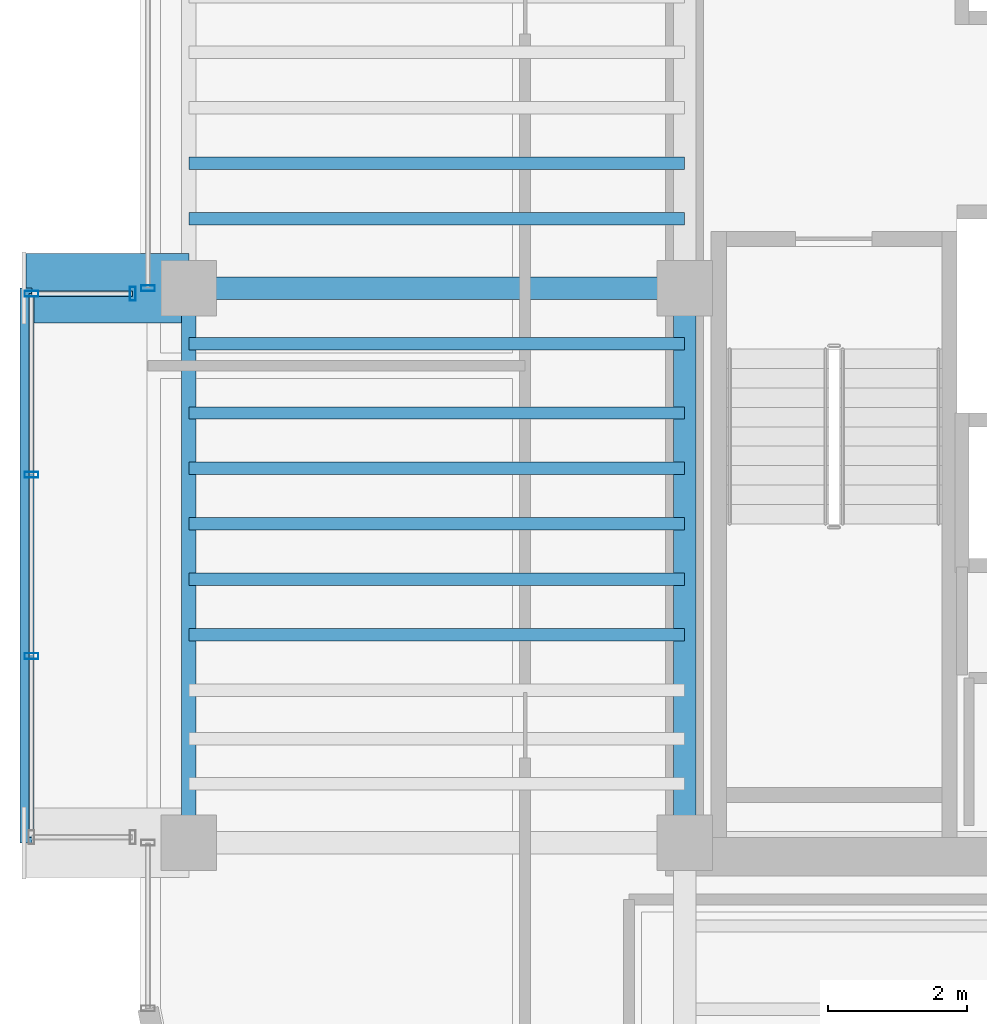
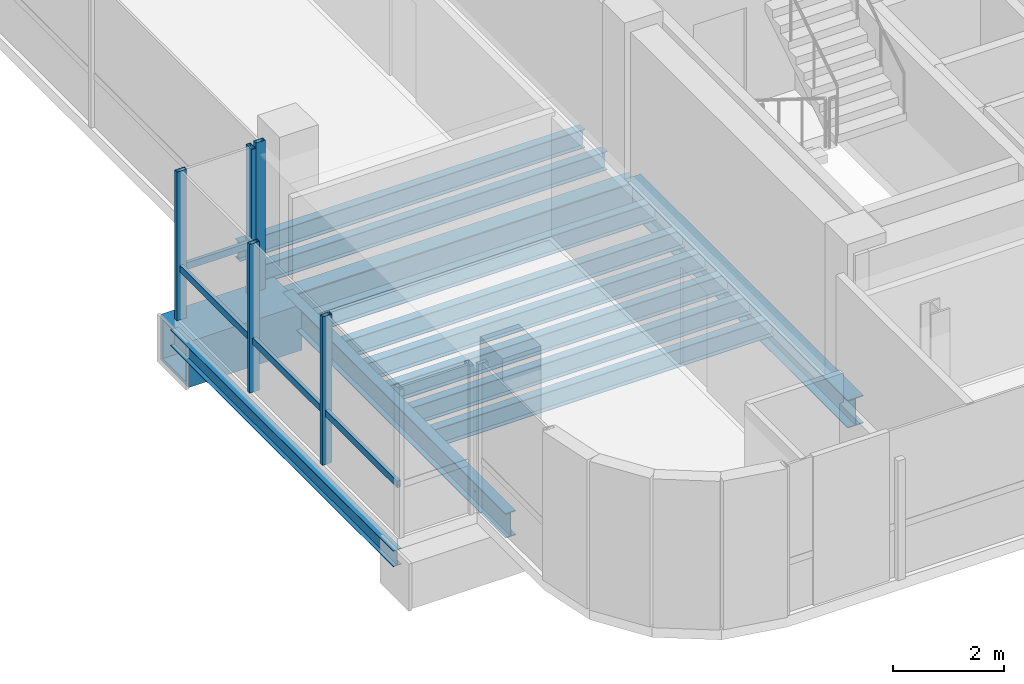
# One storey, part 4 of 19: 13 beams, 7 members, 3 elements without a shape of their own.
"""IFC4 building model written with IfcOpenShell, lengths in metres."""

from ifc_helpers import new_model, si_unit, direction, frame, origin, origin_2d, place, context, subcontext, project, spatial, hollow_rectangle, i_section, extrude, source, transform, mapped, material, material_profile, profile_set, type_object, element, aggregate, save


model = new_model("IFC4")

# Units and contexts
model_context = context("Model", 3, precision=1e-05, world=origin(), true_north=direction((0.0, 1.0)))
body_context = subcontext(model_context, "Body", "Model", "MODEL_VIEW")
ifc_project = project(units=[si_unit("LENGTHUNIT", "METRE"), si_unit("AREAUNIT", "SQUARE_METRE"), si_unit("VOLUMEUNIT", "CUBIC_METRE"), si_unit("PLANEANGLEUNIT", "RADIAN"), si_unit("MASSUNIT", "GRAM", prefix="KILO")], contexts=[model_context])

# Site, building, storey
site_placement = place(None, origin())
site = spatial("IfcSite", under=ifc_project, at=site_placement, CompositionType="ELEMENT")
building_placement = place(site_placement, origin())
building = spatial("IfcBuilding", under=site, at=building_placement, Name="Valdorenza Pilgrim Sanctuary Tower", CompositionType="ELEMENT")
storey_placement = place(building_placement, frame((0.0, 0.0, 269.5)))
storey = spatial("IfcBuildingStorey", under=building, at=storey_placement, Name="L70", CompositionType="ELEMENT", Elevation=269.5)

# Beams
ifc_material_1 = material(Name="Steel ASTM A992 Grade 50", Category="steel")
ifc_material_profile_1 = material_profile(ifc_material_1, i_section(OverallWidth=0.323974609375, OverallDepth=0.611083984375, WebThickness=0.0126953125, FlangeThickness=0.01904296875, at=origin_2d()), Name="W24X104")
ifc_profile_set_1 = profile_set([ifc_material_profile_1], Name="Steel ASTM A992 Grade 50")
beam_type_1 = type_object("IfcBeamType", Name="STR-BM-GRD-W24B", PredefinedType="BEAM", material=ifc_profile_set_1)
shared_shape_1 = source(origin(), body_context, "Body", "SweptSolid", [
    extrude(i_section(OverallWidth=0.323974609375, OverallDepth=0.611083984375, WebThickness=0.0126953125, FlangeThickness=0.01904296875, at=origin_2d()), origin(), (0.0, 0.0, 1.0), 8.0),
])
beam_1_placement = place(storey_placement, frame((-22.64990234375, -10.60009765625, -0.54541015625), z_axis=(0.0, 1.0, 0.0), x_axis=(-1.0, 0.0, 0.0)))
element("IfcBeam", 1, at=beam_1_placement, inside=storey, type_object=beam_type_1, Name="L70 Core Tie Girder CA-W-S1M0", PredefinedType="BEAM", context=body_context, shape_type="MappedRepresentation", body=[
    mapped(shared_shape_1, transform((0.0, 0.0, 0.0), x_axis=(1.0, 0.0, 0.0), y_axis=(0.0, 1.0, 0.0), z_axis=(0.0, 0.0, 1.0), scale=1.0)),
])
ifc_material_profile_2 = material_profile(ifc_material_1, i_section(OverallWidth=0.1708984375, OverallDepth=0.35107421875, WebThickness=0.0068359375, FlangeThickness=0.009765625, at=origin_2d()), Name="W14X30")
ifc_profile_set_2 = profile_set([ifc_material_profile_2], Name="Steel ASTM A992 Grade 50")
beam_type_2 = type_object("IfcBeamType", Name="STR-BM-BOX-W14", PredefinedType="BEAM", material=ifc_profile_set_2)
shared_shape_2 = source(origin(), body_context, "Body", "SweptSolid", [
    extrude(i_section(OverallWidth=0.1708984375, OverallDepth=0.35107421875, WebThickness=0.0068359375, FlangeThickness=0.009765625, at=origin_2d()), origin(), (0.0, 0.0, 1.0), 8.0),
])
beam_2_placement = place(storey_placement, frame((-32.14990234375, -10.60009765625, -0.41552734375), z_axis=(0.0, 1.0, 0.0), x_axis=(-1.0, 0.0, 0.0)))
element("IfcBeam", 2, at=beam_2_placement, inside=storey, type_object=beam_type_2, Name="L70 Glass Box Edge Beam BOX-WA-L70-F", PredefinedType="BEAM", context=body_context, shape_type="MappedRepresentation", body=[
    mapped(shared_shape_2, transform((0.0, 0.0, 0.0), x_axis=(1.0, 0.0, 0.0), y_axis=(0.0, 1.0, 0.0), z_axis=(0.0, 0.0, 1.0), scale=1.0)),
])
ifc_material_profile_3 = material_profile(ifc_material_1, i_section(OverallWidth=0.2109375, OverallDepth=0.5390625, WebThickness=0.01171875, FlangeThickness=0.018798828125, at=origin_2d()), Name="W21X73")
ifc_profile_set_3 = profile_set([ifc_material_profile_3], Name="Steel ASTM A992 Grade 50")
beam_type_3 = type_object("IfcBeamType", Name="STR-BM-SPN-W21B", PredefinedType="SPANDREL", material=ifc_profile_set_3)
shared_shape_3 = source(origin(), body_context, "Body", "SweptSolid", [
    extrude(i_section(OverallWidth=0.2109375, OverallDepth=0.5390625, WebThickness=0.01171875, FlangeThickness=0.018798828125, at=origin_2d()), origin(), (0.0, 0.0, 1.0), 8.0),
])
beam_3_placement = place(storey_placement, frame((-29.800048828125, -10.60009765625, -0.509521484375), z_axis=(0.0, 1.0, 0.0), x_axis=(-1.0, 0.0, 0.0)))
element("IfcBeam", 3, at=beam_3_placement, inside=storey, type_object=beam_type_3, Name="L70 Spandrel Beam WA-W-S1M0", PredefinedType="SPANDREL", context=body_context, shape_type="MappedRepresentation", body=[
    mapped(shared_shape_3, transform((0.0, 0.0, 0.0), x_axis=(1.0, 0.0, 0.0), y_axis=(0.0, 1.0, 0.0), z_axis=(0.0, 0.0, 1.0), scale=1.0)),
])
ifc_material_profile_4 = material_profile(ifc_material_1, i_section(OverallWidth=0.177978515625, OverallDepth=0.406005859375, WebThickness=0.0078125, FlangeThickness=0.0126953125, at=origin_2d()), Name="W16X40")
ifc_profile_set_4 = profile_set([ifc_material_profile_4], Name="Steel ASTM A992 Grade 50")
beam_type_4 = type_object("IfcBeamType", Name="STR-BM-JST-W16", PredefinedType="JOIST", material=ifc_profile_set_4)
shared_shape_4 = source(origin(), body_context, "Body", "SweptSolid", [
    extrude(i_section(OverallWidth=0.177978515625, OverallDepth=0.406005859375, WebThickness=0.0078125, FlangeThickness=0.0126953125, at=origin_2d()), origin(), (0.0, 0.0, 1.0), 7.150146484375),
])
for number, where, z_axis, x_axis, name in (
    (4, (-29.800048828125, -7.60009765625, -0.443115234375), (1.0, 0.0, 0.0), (0.0, 1.0, 0.0), "L70 Composite Floor Joist JST-WA-4"),
    (5, (-29.800048828125, -6.800048828125, -0.443115234375), (1.0, 0.0, 0.0), (0.0, 1.0, 0.0), "L70 Composite Floor Joist JST-WA-5"),
    (6, (-29.800048828125, -6.0, -0.443115234375), (1.0, 0.0, 0.0), (0.0, 1.0, 0.0), "L70 Composite Floor Joist JST-WA-6"),
    (7, (-29.800048828125, -5.199951171875, -0.443115234375), (1.0, 0.0, 0.0), (0.0, 1.0, 0.0), "L70 Composite Floor Joist JST-WA-7"),
    (8, (-29.800048828125, -4.39990234375, -0.443115234375), (1.0, 0.0, 0.0), (0.0, 1.0, 0.0), "L70 Composite Floor Joist JST-WA-8"),
    (9, (-29.800048828125, -3.39990234375, -0.443115234375), (1.0, 0.0, 0.0), (0.0, 1.0, 0.0), "L70 Composite Floor Joist JST-WA-9"),
    (10, (-29.800048828125, -1.60009765625, -0.443115234375), (1.0, 0.0, 0.0), (0.0, 1.0, 0.0), "L70 Composite Floor Joist JST-WA-10"),
    (11, (-29.800048828125, -0.800048828125, -0.443115234375), (1.0, 0.0, 0.0), (0.0, 1.0, 0.0), "L70 Composite Floor Joist JST-WA-11"),
):
    element("IfcBeam", number, at=place(storey_placement, frame(where, z_axis=z_axis, x_axis=x_axis)), inside=storey, type_object=beam_type_4, Name=name, PredefinedType="JOIST", context=body_context, shape_type="MappedRepresentation", body=[
        mapped(shared_shape_4, transform((0.0, 0.0, 0.0), x_axis=(1.0, 0.0, 0.0), y_axis=(0.0, 1.0, 0.0), z_axis=(0.0, 0.0, 1.0), scale=1.0)),
    ])
ifc_material_2 = material(Name="Steel ASTM A572 Grade 42", Category="steel")
ifc_material_profile_5 = material_profile(ifc_material_2, hollow_rectangle(XDim=1.0, YDim=1.0, WallThickness=0.080078125, at=origin_2d()), Name="BOX 1000x1000x80")
ifc_profile_set_5 = profile_set([ifc_material_profile_5], Name="Steel ASTM A572 Grade 42")
beam_type_5 = type_object("IfcBeamType", Name="STR-BM-PROW-CANT", PredefinedType="BEAM", material=ifc_profile_set_5)
shared_shape_5 = source(origin(), body_context, "Body", "SweptSolid", [
    extrude(hollow_rectangle(XDim=1.0, YDim=1.0, WallThickness=0.080078125, at=origin_2d()), origin(), (0.0, 0.0, 1.0), 2.349853515625),
])
beam_4_placement = place(storey_placement, frame((-29.800048828125, -2.60009765625, -0.739990234375), z_axis=(-1.0, 0.0, 0.0), x_axis=(0.0, -1.0, 0.0)))
element("IfcBeam", 12, at=beam_4_placement, inside=storey, type_object=beam_type_5, Name="L70 Glass Box Cantilever Beam BOX-WA-L70-CT-N", PredefinedType="BEAM", context=body_context, shape_type="MappedRepresentation", body=[
    mapped(shared_shape_5, transform((0.0, 0.0, 0.0), x_axis=(1.0, 0.0, 0.0), y_axis=(0.0, 1.0, 0.0), z_axis=(0.0, 0.0, 1.0), scale=1.0)),
])
ifc_material_profile_6 = material_profile(ifc_material_1, i_section(OverallWidth=0.326904296875, OverallDepth=0.6220703125, WebThickness=0.015380859375, FlangeThickness=0.0244140625, at=origin_2d()), Name="W24X131")
ifc_profile_set_6 = profile_set([ifc_material_profile_6], Name="Steel ASTM A992 Grade 50")
beam_type_6 = type_object("IfcBeamType", Name="STR-BM-GRD-W24A", PredefinedType="BEAM", material=ifc_profile_set_6)
shared_shape_6 = source(origin(), body_context, "Body", "SweptSolid", [
    extrude(i_section(OverallWidth=0.326904296875, OverallDepth=0.6220703125, WebThickness=0.015380859375, FlangeThickness=0.0244140625, at=origin_2d()), origin(), (0.0, 0.0, 1.0), 7.150146484375),
])
beam_5_placement = place(storey_placement, frame((-29.800048828125, -2.60009765625, -0.551025390625), z_axis=(1.0, 0.0, 0.0), x_axis=(0.0, 1.0, 0.0)))
element("IfcBeam", 13, at=beam_5_placement, inside=storey, type_object=beam_type_6, Name="L70 Floor Girder WA-XW-M0", PredefinedType="BEAM", context=body_context, shape_type="MappedRepresentation", body=[
    mapped(shared_shape_6, transform((0.0, 0.0, 0.0), x_axis=(1.0, 0.0, 0.0), y_axis=(0.0, 1.0, 0.0), z_axis=(0.0, 0.0, 1.0), scale=1.0)),
])

# Curtain wall, member
ifc_material_3 = material(Name="Curtain-wall IGU glazing", Category="glass")
curtain_wall_type = type_object("IfcCurtainWallType", Name="CW-SYS-02", PredefinedType="NOTDEFINED", material=ifc_material_3)
curtain_wall_1_placement = place(storey_placement, origin())
curtain_wall_1 = element("IfcCurtainWall", 14, at=curtain_wall_1_placement, inside=storey, type_object=curtain_wall_type, Name="L70 Curtain Wall CW-L70-BOX-WA-L70-N", PredefinedType="NOTDEFINED")
ifc_material_4 = material(Name="Anodised aluminium AW-6060", Category="aluminium")
ifc_material_profile_7 = material_profile(ifc_material_4, hollow_rectangle(XDim=0.074951171875, YDim=0.14990234375, WallThickness=0.00390625, at=origin_2d()), Name="ALU-T 150x75x4")
ifc_profile_set_7 = profile_set([ifc_material_profile_7], Name="Anodised aluminium AW-6060")
member_type_1 = type_object("IfcMemberType", Name="CW-TRN-02", PredefinedType="USERDEFINED", material=ifc_profile_set_7)
shared_shape_7 = source(origin(), body_context, "Body", "SweptSolid", [
    extrude(hollow_rectangle(XDim=0.074951171875, YDim=0.14990234375, WallThickness=0.00390625, at=origin_2d()), origin(), (0.0, 0.0, 1.0), 1.4599609375),
])
member_1_placement = place(storey_placement, frame((-32.070068359375, -2.679931640625, 1.1201171875), z_axis=(1.0, 0.0, 0.0), x_axis=(0.0, 1.0, 0.0)))
member_1 = element("IfcMember", 15, at=member_1_placement, type_object=member_type_1, Name="CW-L70-BOX-WA-L70-N Transom 1", ObjectType="TRANSOM", PredefinedType="USERDEFINED", context=body_context, shape_type="MappedRepresentation", body=[
    mapped(shared_shape_7, transform((0.0, 0.0, 0.0), x_axis=(1.0, 0.0, 0.0), y_axis=(0.0, 1.0, 0.0), z_axis=(0.0, 0.0, 1.0), scale=1.0)),
])

curtain_wall_2_placement = place(storey_placement, origin())
curtain_wall_2 = element("IfcCurtainWall", 16, at=curtain_wall_2_placement, inside=storey, type_object=curtain_wall_type, Name="L70 Curtain Wall CW-L70-BOX-WA-L70-F", PredefinedType="NOTDEFINED")
shared_shape_8 = source(origin(), body_context, "Body", "SweptSolid", [
    extrude(hollow_rectangle(XDim=0.074951171875, YDim=0.14990234375, WallThickness=0.00390625, at=origin_2d()), origin(), (0.0, 0.0, 1.0), 7.840087890625),
])
member_2_placement = place(storey_placement, frame((-32.070068359375, -10.52001953125, 1.1201171875), z_axis=(0.0, 1.0, 0.0), x_axis=(-1.0, 0.0, 0.0)))
member_2 = element("IfcMember", 17, at=member_2_placement, type_object=member_type_1, Name="CW-L70-BOX-WA-L70-F Transom 1", ObjectType="TRANSOM", PredefinedType="USERDEFINED", context=body_context, shape_type="MappedRepresentation", body=[
    mapped(shared_shape_8, transform((0.0, 0.0, 0.0), x_axis=(1.0, 0.0, 0.0), y_axis=(0.0, 1.0, 0.0), z_axis=(0.0, 0.0, 1.0), scale=1.0)),
])

curtain_wall_3_placement = place(storey_placement, origin())
curtain_wall_3 = element("IfcCurtainWall", 18, at=curtain_wall_3_placement, inside=storey, type_object=curtain_wall_type, Name="L70 Curtain Wall CW-L70-1-1S2", PredefinedType="NOTDEFINED")
ifc_material_profile_8 = material_profile(ifc_material_4, hollow_rectangle(XDim=0.0849609375, YDim=0.199951171875, WallThickness=0.0048828125, at=origin_2d()), Name="ALU-M 200x85x5")
ifc_profile_set_8 = profile_set([ifc_material_profile_8], Name="Anodised aluminium AW-6060")
member_type_2 = type_object("IfcMemberType", Name="CW-MUL-02", PredefinedType="MULLION", material=ifc_profile_set_8)
shared_shape_9 = source(origin(), body_context, "Body", "SweptSolid", [
    extrude(hollow_rectangle(XDim=0.0849609375, YDim=0.199951171875, WallThickness=0.0048828125, at=origin_2d()), origin(), (0.0, 0.0, 1.0), 3.260009765625),
])
member_3_placement = place(storey_placement, frame((-30.389892578125, -2.60009765625, 0.0), z_axis=(0.0, 0.0, 1.0), x_axis=(0.0, 1.0, 0.0)))
member_3 = element("IfcMember", 19, at=member_3_placement, type_object=member_type_2, Name="CW-L70-1-1S2 Mullion 1", PredefinedType="MULLION", context=body_context, shape_type="MappedRepresentation", body=[
    mapped(shared_shape_9, transform((0.0, 0.0, 0.0), x_axis=(1.0, 0.0, 0.0), y_axis=(0.0, 1.0, 0.0), z_axis=(0.0, 0.0, 1.0), scale=1.0)),
])
aggregate(curtain_wall_3, [member_3])

# Member
member_4_placement = place(storey_placement, frame((-32.070068359375, -7.90673828125, 0.0), z_axis=(0.0, 0.0, 1.0), x_axis=(0.0, 1.0, 0.0)))
member_4 = element("IfcMember", 20, at=member_4_placement, type_object=member_type_2, Name="CW-L70-BOX-WA-L70-F Mullion 2", PredefinedType="MULLION", context=body_context, shape_type="MappedRepresentation", body=[
    mapped(shared_shape_9, transform((0.0, 0.0, 0.0), x_axis=(1.0, 0.0, 0.0), y_axis=(0.0, 1.0, 0.0), z_axis=(0.0, 0.0, 1.0), scale=1.0)),
])

member_5_placement = place(storey_placement, frame((-32.070068359375, -5.293212890625, 0.0), z_axis=(0.0, 0.0, 1.0), x_axis=(0.0, 1.0, 0.0)))
member_5 = element("IfcMember", 21, at=member_5_placement, type_object=member_type_2, Name="CW-L70-BOX-WA-L70-F Mullion 3", PredefinedType="MULLION", context=body_context, shape_type="MappedRepresentation", body=[
    mapped(shared_shape_9, transform((0.0, 0.0, 0.0), x_axis=(1.0, 0.0, 0.0), y_axis=(0.0, 1.0, 0.0), z_axis=(0.0, 0.0, 1.0), scale=1.0)),
])

member_6_placement = place(storey_placement, frame((-32.070068359375, -2.679931640625, 0.0), z_axis=(0.0, 0.0, 1.0), x_axis=(0.0, 1.0, 0.0)))
member_6 = element("IfcMember", 22, at=member_6_placement, type_object=member_type_2, Name="CW-L70-BOX-WA-L70-F Mullion 4", PredefinedType="MULLION", context=body_context, shape_type="MappedRepresentation", body=[
    mapped(shared_shape_9, transform((0.0, 0.0, 0.0), x_axis=(1.0, 0.0, 0.0), y_axis=(0.0, 1.0, 0.0), z_axis=(0.0, 0.0, 1.0), scale=1.0)),
])

aggregate(curtain_wall_2, [member_4, member_5, member_6, member_2])

member_7_placement = place(storey_placement, frame((-30.610107421875, -2.679931640625, 0.0), z_axis=(0.0, 0.0, 1.0), x_axis=(1.0, 0.0, 0.0)))
member_7 = element("IfcMember", 23, at=member_7_placement, type_object=member_type_2, Name="CW-L70-BOX-WA-L70-N Mullion 2", PredefinedType="MULLION", context=body_context, shape_type="MappedRepresentation", body=[
    mapped(shared_shape_9, transform((0.0, 0.0, 0.0), x_axis=(1.0, 0.0, 0.0), y_axis=(0.0, 1.0, 0.0), z_axis=(0.0, 0.0, 1.0), scale=1.0)),
])

aggregate(curtain_wall_1, [member_7, member_1])

save(model, "model.ifc")
